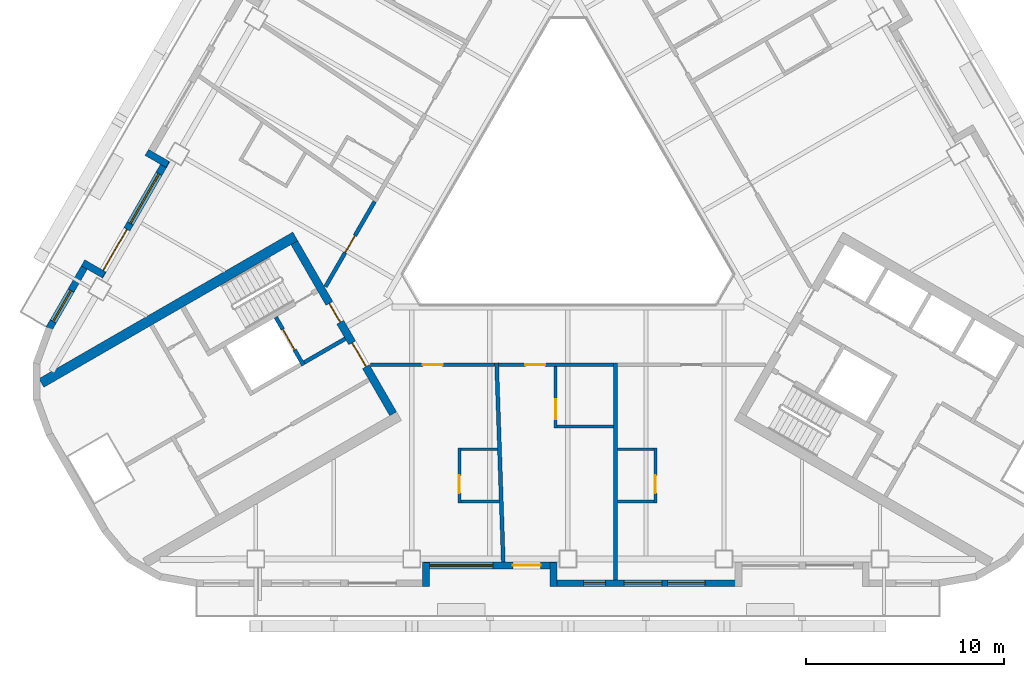
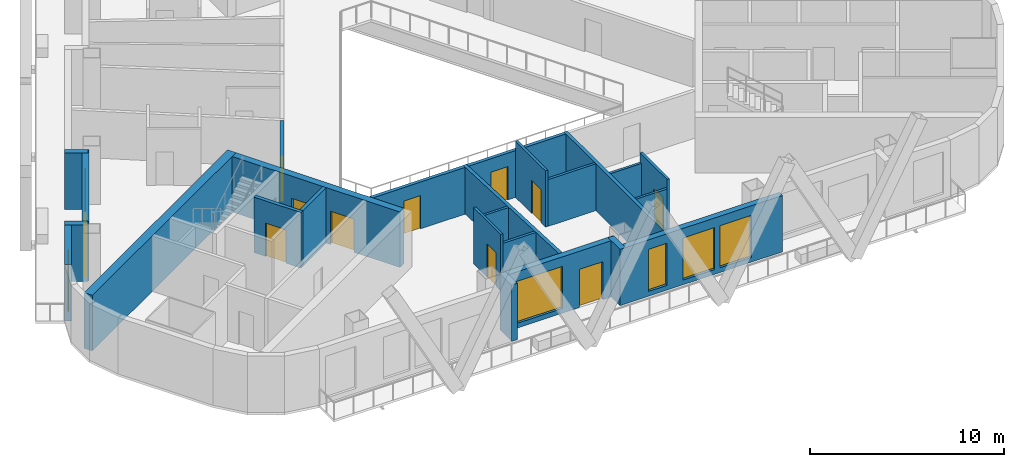
# One storey, part 3 of 14: 25 walls, 11 doors, 6 windows, 17 openings.
"""IFC4 building model written with IfcOpenShell, lengths in metres."""

from ifc_helpers import new_model, si_unit, direction, frame, frame_2d, origin, place, context, subcontext, project, spatial, rectangle, extrude, material, layer, layer_set, type_object, element, fill, save


model = new_model("IFC4")

# Units and contexts
model_context = context("Model", 3, precision=1e-05, world=origin(), true_north=direction((0.0, 1.0)))
body_context = subcontext(model_context, "Body", "Model", "MODEL_VIEW")
ifc_project = project(units=[si_unit("LENGTHUNIT", "METRE"), si_unit("AREAUNIT", "SQUARE_METRE"), si_unit("VOLUMEUNIT", "CUBIC_METRE"), si_unit("PLANEANGLEUNIT", "RADIAN"), si_unit("MASSUNIT", "GRAM", prefix="KILO")], contexts=[model_context])

# Site, building, storey
site_placement = place(None, origin())
site = spatial("IfcSite", under=ifc_project, at=site_placement, CompositionType="ELEMENT")
building_placement = place(site_placement, origin())
building = spatial("IfcBuilding", under=site, at=building_placement, Name="Apuvela Tower Hotel", CompositionType="ELEMENT")
storey_placement = place(building_placement, frame((0.0, 0.0, 98.300048828125)))
storey = spatial("IfcBuildingStorey", under=building, at=storey_placement, Name="L22", CompositionType="ELEMENT", Elevation=98.300048828125)

# Wall, openings, doors
ifc_material_1 = material(Name="Concrete C50/60", Category="concrete")
ifc_layer_1 = layer(ifc_material_1, 0.39990234375)
ifc_layer_set_1 = layer_set([ifc_layer_1], Name="COR-WALL-CORE-400")
wall_type_1 = type_object("IfcWallType", Name="COR-WALL-CORE-400", PredefinedType="SHEAR", material=ifc_layer_set_1)
wall_1_placement = place(storey_placement, frame((-13.844970703125, -2.219970703125, 0.0), z_axis=(0.0, 0.0, 1.0), x_axis=(0.500004234368, -0.866022959057, 0.0)))
wall_1 = element("IfcWall", 1, at=wall_1_placement, inside=storey, type_object=wall_type_1, Name="Core wall SW", PredefinedType="SHEAR", context=body_context, shape_type="SweptSolid", body=[
    extrude(rectangle(XDim=10.0, YDim=0.39990234375, at=frame_2d((5.0, 0.0))), origin(), (0.0, 0.0, 1.0), 3.5),
])
opening_1_placement = place(wall_1_placement, frame((3.550048828125, 0.0, 0.0)))
opening_1 = element("IfcOpeningElement", 2, at=opening_1_placement, cuts=wall_1, Name="Opening W-FD", PredefinedType="OPENING", context=body_context, shape_type="SweptSolid", body=[
    extrude(rectangle(XDim=1.10009765625, YDim=2.10009765625, at=frame_2d((0.550048828125, 1.050048828125))), frame((0.0, 0.2099609375, 0.0), z_axis=(0.0, -1.0, 0.0), x_axis=(1.0, 0.0, 0.0)), (0.0, 0.0, 1.0), 0.419921875),
])
opening_2_placement = place(wall_1_placement, frame((5.85009765625, 0.0, 0.0)))
opening_2 = element("IfcOpeningElement", 3, at=opening_2_placement, cuts=wall_1, Name="Opening W-GD", PredefinedType="OPENING", context=body_context, shape_type="SweptSolid", body=[
    extrude(rectangle(XDim=1.39990234375, YDim=2.10009765625, at=frame_2d((0.699951171875, 1.050048828125))), frame((0.0, 0.2099609375, 0.0), z_axis=(0.0, -1.0, 0.0), x_axis=(1.0, 0.0, 0.0)), (0.0, 0.0, 1.0), 0.419921875),
])
ifc_material_2 = material(Name="Steel fire door, powder coated", Category="steel")
door_type_1 = type_object("IfcDoorType", Name="COR-FD-1100", OperationType="NOTDEFINED", PredefinedType="DOOR", material=ifc_material_2)
door_1_placement = place(opening_1_placement, frame((1.10009765625, 0.0, 0.0), z_axis=(0.0, 0.0, 1.0), x_axis=(-1.0, 0.0, 0.0)))
door_1 = element("IfcDoor", 4, at=door_1_placement, inside=storey, type_object=door_type_1, Name="Firefighting lobby door W-FD", OperationType="SINGLE_SWING_LEFT", OverallHeight=2.10009765625, OverallWidth=1.10009765625, PredefinedType="DOOR", context=body_context, shape_type="SweptSolid", body=[
    extrude(rectangle(XDim=1.10009765625, YDim=2.10009765625, at=frame_2d((0.550048828125, 1.050048828125))), frame((0.0, 0.02490234375, 0.0), z_axis=(0.0, -1.0, 0.0), x_axis=(1.0, 0.0, 0.0)), (0.0, 0.0, 1.0), 0.050048828125),
])
fill(opening_1, door_1)
ifc_material_3 = material(Name="Glazed steel fire door", Category="steel")
door_type_2 = type_object("IfcDoorType", Name="COR-GD-1400", OperationType="DOUBLE_DOOR_SINGLE_SWING", PredefinedType="DOOR", material=ifc_material_3)
door_2_placement = place(opening_2_placement, frame((1.39990234375, 0.0, 0.0), z_axis=(0.0, 0.0, 1.0), x_axis=(-1.0, 0.0, 0.0)))
door_2 = element("IfcDoor", 5, at=door_2_placement, inside=storey, type_object=door_type_2, Name="Lift lobby door W-GD", OperationType="DOUBLE_DOOR_SINGLE_SWING", OverallHeight=2.10009765625, OverallWidth=1.39990234375, PredefinedType="DOOR", context=body_context, shape_type="SweptSolid", body=[
    extrude(rectangle(XDim=1.39990234375, YDim=2.10009765625, at=frame_2d((0.699951171875, 1.050048828125))), frame((0.0, 0.02490234375, 0.0), z_axis=(0.0, -1.0, 0.0), x_axis=(1.0, 0.0, 0.0)), (0.0, 0.0, 1.0), 0.050048828125),
])
fill(opening_2, door_2)

# Wall
ifc_layer_2 = layer(ifc_material_1, 0.5)
ifc_layer_set_2 = layer_set([ifc_layer_2], Name="COR-WALL-CORE-500")
wall_type_2 = type_object("IfcWallType", Name="COR-WALL-CORE-500", PredefinedType="SHEAR", material=ifc_layer_set_2)
wall_2_placement = place(storey_placement, frame((-13.796630859375, -1.9033203125, 0.0), z_axis=(0.0, 0.0, 1.0), x_axis=(-0.866025009528, -0.500000682871, 0.0)))
element("IfcWall", 6, at=wall_2_placement, inside=storey, type_object=wall_type_2, Name="Core wall SW", PredefinedType="SHEAR", context=body_context, shape_type="SweptSolid", body=[
    extrude(rectangle(XDim=14.8369140625, YDim=0.5, at=frame_2d((7.41845703125, 0.0))), origin(), (0.0, 0.0, 1.0), 3.5),
])

# Wall, opening, door
ifc_layer_3 = layer(ifc_material_1, 0.199951171875)
ifc_layer_set_3 = layer_set([ifc_layer_3], Name="COR-WALL-SHAFT-200")
wall_type_3 = type_object("IfcWallType", Name="COR-WALL-SHAFT-200", PredefinedType="SHEAR", material=ifc_layer_set_3)
wall_3_placement = place(storey_placement, frame((-14.783203125, -5.99462890625, 0.0), z_axis=(0.0, 0.0, 1.0), x_axis=(0.49994636267, -0.866056369097, 0.0)))
wall_3 = element("IfcWall", 7, at=wall_3_placement, inside=storey, type_object=wall_type_3, Name="Shaft wall SW", PredefinedType="SHEAR", context=body_context, shape_type="SweptSolid", body=[
    extrude(rectangle(XDim=2.800048828125, YDim=0.199951171875, at=frame_2d((1.39990234375, 0.0))), origin(), (0.0, 0.0, 1.0), 3.5),
])
opening_3_placement = place(wall_3_placement, frame((0.699951171875, 0.0, 0.0)))
opening_3 = element("IfcOpeningElement", 8, at=opening_3_placement, cuts=wall_3, Name="Opening W-LD-FS2", PredefinedType="OPENING", context=body_context, shape_type="SweptSolid", body=[
    extrude(rectangle(XDim=1.199951171875, YDim=2.10009765625, at=frame_2d((0.60009765625, 1.050048828125))), frame((0.0, 0.10986328125, 0.0), z_axis=(0.0, -1.0, 0.0), x_axis=(1.0, 0.0, 0.0)), (0.0, 0.0, 1.0), 0.219970703125),
])
ifc_material_4 = material(Name="Stainless steel lift landing door", Category="steel")
door_type_3 = type_object("IfcDoorType", Name="COR-LD-1200", OperationType="DOUBLE_DOOR_SLIDING", PredefinedType="DOOR", material=ifc_material_4)
door_3_placement = place(opening_3_placement, origin())
door_3 = element("IfcDoor", 9, at=door_3_placement, inside=storey, type_object=door_type_3, Name="Lift landing door W-LD-FS2", OperationType="DOUBLE_DOOR_SLIDING", OverallHeight=2.10009765625, OverallWidth=1.199951171875, PredefinedType="DOOR", context=body_context, shape_type="SweptSolid", body=[
    extrude(rectangle(XDim=1.199951171875, YDim=2.10009765625, at=frame_2d((0.60009765625, 1.050048828125))), frame((0.0, 0.02490234375, 0.0), z_axis=(0.0, -1.0, 0.0), x_axis=(1.0, 0.0, 0.0)), (0.0, 0.0, 1.0), 0.050048828125),
])
fill(opening_3, door_3)

# Walls
wall_4_placement = place(storey_placement, frame((-11.26806640625, -7.0830078125, 0.0), z_axis=(0.0, 0.0, 1.0), x_axis=(-0.866050077142, -0.499957262057, 0.0)))
element("IfcWall", 10, at=wall_4_placement, inside=storey, type_object=wall_type_3, Name="Shaft wall SW", PredefinedType="SHEAR", context=body_context, shape_type="SweptSolid", body=[
    extrude(rectangle(XDim=2.400146484375, YDim=0.199951171875, at=frame_2d((1.2001953125, 0.0))), origin(), (0.0, 0.0, 1.0), 3.5),
])
ifc_material_5 = material(Name="Concrete C40/50, dark pigmented precast panel", Category="concrete")
ifc_layer_4 = layer(ifc_material_5, 0.35009765625)
ifc_layer_set_4 = layer_set([ifc_layer_4], Name="ENV-WALL-350")
wall_type_4 = type_object("IfcWallType", Name="ENV-WALL-350", PredefinedType="SOLIDWALL", material=ifc_layer_set_4)
wall_5_placement = place(storey_placement, frame((-21.3125, 2.345703125, 0.0), z_axis=(0.0, 0.0, 1.0), x_axis=(0.866005645448, -0.500034220881, 0.0)))
element("IfcWall", 11, at=wall_5_placement, inside=storey, type_object=wall_type_4, Name="External wall L22-06", PredefinedType="SOLIDWALL", context=body_context, shape_type="SweptSolid", body=[
    extrude(rectangle(XDim=1.22021484375, YDim=0.35009765625, at=frame_2d((0.610107421875, 0.0))), origin(), (0.0, 0.0, 1.0), 3.550048828125),
])

# Wall, openings, door, window
wall_6_placement = place(storey_placement, frame((-20.30908203125, 1.93359375, 0.0), z_axis=(0.0, 0.0, 1.0), x_axis=(-0.499992114976, -0.866029956157, 0.0)))
wall_6 = element("IfcWall", 12, at=wall_6_placement, inside=storey, type_object=wall_type_4, Name="External wall L22-07", PredefinedType="SOLIDWALL", context=body_context, shape_type="SweptSolid", body=[
    extrude(rectangle(XDim=6.73974609375, YDim=0.35009765625, at=frame_2d((3.369873046875, 0.0))), origin(), (0.0, 0.0, 1.0), 3.550048828125),
])
opening_4_placement = place(wall_6_placement, frame((4.02001953125, 0.0, 0.0)))
opening_4 = element("IfcOpeningElement", 13, at=opening_4_placement, cuts=wall_6, Name="Opening BD24", PredefinedType="OPENING", context=body_context, shape_type="SweptSolid", body=[
    extrude(rectangle(XDim=2.39990234375, YDim=2.39990234375, at=frame_2d((1.199951171875, 1.199951171875))), frame((0.0, 0.18505859375, 0.0), z_axis=(0.0, -1.0, 0.0), x_axis=(1.0, 0.0, 0.0)), (0.0, 0.0, 1.0), 0.3701171875),
])
opening_5_placement = place(wall_6_placement, frame((0.77001953125, 0.0, 0.300048828125)))
opening_5 = element("IfcOpeningElement", 14, at=opening_5_placement, cuts=wall_6, Name="Opening WN29", PredefinedType="OPENING", context=body_context, shape_type="SweptSolid", body=[
    extrude(rectangle(XDim=2.89990234375, YDim=2.64990234375, at=frame_2d((1.449951171875, 1.324951171875))), frame((0.0, 0.18505859375, 0.0), z_axis=(0.0, -1.0, 0.0), x_axis=(1.0, 0.0, 0.0)), (0.0, 0.0, 1.0), 0.3701171875),
])
ifc_material_6 = material(Name="Aluminium 6063-T6, dark bronze anodised frame with dark tinted laminated glass", Category="aluminium")
door_type_4 = type_object("IfcDoorType", Name="ENV-DOOR-BALCONY-2400x2400", OperationType="SLIDING_TO_LEFT", PredefinedType="DOOR", material=ifc_material_6)
door_4_placement = place(opening_4_placement, frame((2.39990234375, 0.0, 0.0), z_axis=(0.0, 0.0, 1.0), x_axis=(-1.0, 0.0, 0.0)))
door_4 = element("IfcDoor", 15, at=door_4_placement, inside=storey, type_object=door_type_4, Name="Balcony door BD24", OperationType="SLIDING_TO_LEFT", OverallHeight=2.39990234375, OverallWidth=2.39990234375, PredefinedType="DOOR", context=body_context, shape_type="SweptSolid", body=[
    extrude(rectangle(XDim=2.39990234375, YDim=2.39990234375, at=frame_2d((1.199951171875, 1.199951171875))), frame((0.0, 0.02490234375, 0.0), z_axis=(0.0, -1.0, 0.0), x_axis=(1.0, 0.0, 0.0)), (0.0, 0.0, 1.0), 0.050048828125),
])
fill(opening_4, door_4)
ifc_material_7 = material(Name="Glass, dark tinted laminated insulated glazing unit", Category="glass")
window_type_1 = type_object("IfcWindowType", Name="ENV-WIN-2900x2650", PartitioningType="SINGLE_PANEL", PredefinedType="WINDOW", material=ifc_material_7)
window_1_placement = place(opening_5_placement, origin())
window_1 = element("IfcWindow", 16, at=window_1_placement, inside=storey, type_object=window_type_1, Name="Window WN29", OverallHeight=2.64990234375, OverallWidth=2.89990234375, PartitioningType="SINGLE_PANEL", PredefinedType="WINDOW", context=body_context, shape_type="SweptSolid", body=[
    extrude(rectangle(XDim=2.89990234375, YDim=2.64990234375, at=frame_2d((1.449951171875, 1.324951171875))), frame((0.0, 0.030029296875, 0.0), z_axis=(0.0, -1.0, 0.0), x_axis=(1.0, 0.0, 0.0)), (0.0, 0.0, 1.0), 0.06005859375),
])
fill(opening_5, window_1)

# Wall
wall_7_placement = place(storey_placement, frame((-23.48095703125, -3.85009765625, 0.0), z_axis=(0.0, 0.0, 1.0), x_axis=(-0.866092288191, 0.499884134912, 0.0)))
element("IfcWall", 17, at=wall_7_placement, inside=storey, type_object=wall_type_4, Name="External wall L22-08", PredefinedType="SOLIDWALL", context=body_context, shape_type="SweptSolid", body=[
    extrude(rectangle(XDim=1.219970703125, YDim=0.35009765625, at=frame_2d((0.60986328125, 0.0))), origin(), (0.0, 0.0, 1.0), 3.550048828125),
])

# Wall, opening, window
wall_8_placement = place(storey_placement, frame((-24.298583984375, -3.17626953125, 0.0), z_axis=(0.0, 0.0, 1.0), x_axis=(-0.500028278809, -0.866009076391, 0.0)))
wall_8 = element("IfcWall", 18, at=wall_8_placement, inside=storey, type_object=wall_type_4, Name="External wall L22-09", PredefinedType="SOLIDWALL", context=body_context, shape_type="SweptSolid", body=[
    extrude(rectangle(XDim=3.915771484375, YDim=0.35009765625, at=frame_2d((1.9580078125, 0.0))), origin(), (0.0, 0.0, 1.0), 3.550048828125),
])
opening_6_placement = place(wall_8_placement, frame((1.699951171875, 0.0, 0.300048828125)))
opening_6 = element("IfcOpeningElement", 19, at=opening_6_placement, cuts=wall_8, Name="Opening WN18", PredefinedType="OPENING", context=body_context, shape_type="SweptSolid", body=[
    extrude(rectangle(XDim=1.800048828125, YDim=2.64990234375, at=frame_2d((0.89990234375, 1.324951171875))), frame((0.0, 0.18505859375, 0.0), z_axis=(0.0, -1.0, 0.0), x_axis=(1.0, 0.0, 0.0)), (0.0, 0.0, 1.0), 0.3701171875),
])
window_type_2 = type_object("IfcWindowType", Name="ENV-WIN-1800x2650", PartitioningType="SINGLE_PANEL", PredefinedType="WINDOW", material=ifc_material_7)
window_2_placement = place(opening_6_placement, origin())
window_2 = element("IfcWindow", 20, at=window_2_placement, inside=storey, type_object=window_type_2, Name="Window WN18", OverallHeight=2.64990234375, OverallWidth=1.800048828125, PartitioningType="SINGLE_PANEL", PredefinedType="WINDOW", context=body_context, shape_type="SweptSolid", body=[
    extrude(rectangle(XDim=1.800048828125, YDim=2.64990234375, at=frame_2d((0.89990234375, 1.324951171875))), frame((0.0, 0.030029296875, 0.0), z_axis=(0.0, -1.0, 0.0), x_axis=(1.0, 0.0, 0.0)), (0.0, 0.0, 1.0), 0.06005859375),
])
fill(opening_6, window_2)

# Wall
wall_9_placement = place(storey_placement, frame((-7.175048828125, -19.6298828125, 0.0), z_axis=(0.0, 0.0, 1.0), x_axis=(0.0, 1.0, 0.0)))
element("IfcWall", 21, at=wall_9_placement, inside=storey, type_object=wall_type_4, Name="External wall L22-18", PredefinedType="SOLIDWALL", context=body_context, shape_type="SweptSolid", body=[
    extrude(rectangle(XDim=1.219970703125, YDim=0.35009765625, at=frame_2d((0.60986328125, 0.0))), origin(), (0.0, 0.0, 1.0), 3.550048828125),
])

# Wall, openings, door, window
wall_10_placement = place(storey_placement, frame((-7.320068359375, -18.554931640625, 0.0), z_axis=(0.0, 0.0, 1.0), x_axis=(1.0, 0.0, 0.0)))
wall_10 = element("IfcWall", 22, at=wall_10_placement, inside=storey, type_object=wall_type_4, Name="External wall L22-19", PredefinedType="SOLIDWALL", context=body_context, shape_type="SweptSolid", body=[
    extrude(rectangle(XDim=6.739990234375, YDim=0.35009765625, at=frame_2d((3.3701171875, 0.0))), origin(), (0.0, 0.0, 1.0), 3.550048828125),
])
opening_7_placement = place(wall_10_placement, frame((0.3203125, 0.0, 0.300048828125)))
opening_7 = element("IfcOpeningElement", 23, at=opening_7_placement, cuts=wall_10, Name="Opening WN32", PredefinedType="OPENING", context=body_context, shape_type="SweptSolid", body=[
    extrude(rectangle(XDim=3.199951171875, YDim=2.64990234375, at=frame_2d((1.60009765625, 1.324951171875))), frame((0.0, 0.18505859375, 0.0), z_axis=(0.0, -1.0, 0.0), x_axis=(1.0, 0.0, 0.0)), (0.0, 0.0, 1.0), 0.3701171875),
])
opening_8_placement = place(wall_10_placement, frame((4.534912109375, 0.0, 0.0)))
opening_8 = element("IfcOpeningElement", 24, at=opening_8_placement, cuts=wall_10, Name="Opening BD14", PredefinedType="OPENING", context=body_context, shape_type="SweptSolid", body=[
    extrude(rectangle(XDim=1.39990234375, YDim=2.39990234375, at=frame_2d((0.699951171875, 1.199951171875))), frame((0.0, 0.18505859375, 0.0), z_axis=(0.0, -1.0, 0.0), x_axis=(1.0, 0.0, 0.0)), (0.0, 0.0, 1.0), 0.3701171875),
])
door_type_5 = type_object("IfcDoorType", Name="ENV-DOOR-BALCONY-1400x2400", OperationType="SLIDING_TO_LEFT", PredefinedType="DOOR", material=ifc_material_6)
door_5_placement = place(opening_8_placement, frame((1.39990234375, 0.0, 0.0), z_axis=(0.0, 0.0, 1.0), x_axis=(-1.0, 0.0, 0.0)))
door_5 = element("IfcDoor", 25, at=door_5_placement, inside=storey, type_object=door_type_5, Name="Balcony door BD14", OperationType="SLIDING_TO_LEFT", OverallHeight=2.39990234375, OverallWidth=1.39990234375, PredefinedType="DOOR", context=body_context, shape_type="SweptSolid", body=[
    extrude(rectangle(XDim=1.39990234375, YDim=2.39990234375, at=frame_2d((0.699951171875, 1.199951171875))), frame((0.0, 0.02490234375, 0.0), z_axis=(0.0, -1.0, 0.0), x_axis=(1.0, 0.0, 0.0)), (0.0, 0.0, 1.0), 0.050048828125),
])
fill(opening_8, door_5)
window_type_3 = type_object("IfcWindowType", Name="ENV-WIN-3200x2650", PartitioningType="SINGLE_PANEL", PredefinedType="WINDOW", material=ifc_material_7)
window_3_placement = place(opening_7_placement, origin())
window_3 = element("IfcWindow", 26, at=window_3_placement, inside=storey, type_object=window_type_3, Name="Window WN32", OverallHeight=2.64990234375, OverallWidth=3.199951171875, PartitioningType="SINGLE_PANEL", PredefinedType="WINDOW", context=body_context, shape_type="SweptSolid", body=[
    extrude(rectangle(XDim=3.199951171875, YDim=2.64990234375, at=frame_2d((1.60009765625, 1.324951171875))), frame((0.0, 0.030029296875, 0.0), z_axis=(0.0, -1.0, 0.0), x_axis=(1.0, 0.0, 0.0)), (0.0, 0.0, 1.0), 0.06005859375),
])
fill(opening_7, window_3)

# Wall
wall_11_placement = place(storey_placement, frame((-0.72509765625, -18.409912109375, 0.0), z_axis=(0.0, 0.0, 1.0), x_axis=(0.0, -1.0, 0.0)))
element("IfcWall", 27, at=wall_11_placement, inside=storey, type_object=wall_type_4, Name="External wall L22-20", PredefinedType="SOLIDWALL", context=body_context, shape_type="SweptSolid", body=[
    extrude(rectangle(XDim=1.219970703125, YDim=0.35009765625, at=frame_2d((0.60986328125, 0.0))), origin(), (0.0, 0.0, 1.0), 3.550048828125),
])

# Wall, openings, windows
wall_12_placement = place(storey_placement, frame((-0.89990234375, -19.455078125, 0.0), z_axis=(0.0, 0.0, 1.0), x_axis=(1.0, 0.0, 0.0)))
wall_12 = element("IfcWall", 28, at=wall_12_placement, inside=storey, type_object=wall_type_4, Name="External wall L22-21", PredefinedType="SOLIDWALL", context=body_context, shape_type="SweptSolid", body=[
    extrude(rectangle(XDim=9.699951171875, YDim=0.35009765625, at=frame_2d((4.85009765625, 0.0))), origin(), (0.0, 0.0, 1.0), 3.550048828125),
])
opening_9_placement = place(wall_12_placement, frame((1.7001953125, 0.0, 0.300048828125)))
opening_9 = element("IfcOpeningElement", 29, at=opening_9_placement, cuts=wall_12, Name="Opening WN11", PredefinedType="OPENING", context=body_context, shape_type="SweptSolid", body=[
    extrude(rectangle(XDim=1.10009765625, YDim=2.64990234375, at=frame_2d((0.550048828125, 1.324951171875))), frame((0.0, 0.18505859375, 0.0), z_axis=(0.0, -1.0, 0.0), x_axis=(1.0, 0.0, 0.0)), (0.0, 0.0, 1.0), 0.3701171875),
])
opening_10_placement = place(wall_12_placement, frame((3.75, 0.0, 0.300048828125)))
opening_10 = element("IfcOpeningElement", 30, at=opening_10_placement, cuts=wall_12, Name="Opening WN19", PredefinedType="OPENING", context=body_context, shape_type="SweptSolid", body=[
    extrude(rectangle(XDim=1.89990234375, YDim=2.64990234375, at=frame_2d((0.949951171875, 1.324951171875))), frame((0.0, 0.18505859375, 0.0), z_axis=(0.0, -1.0, 0.0), x_axis=(1.0, 0.0, 0.0)), (0.0, 0.0, 1.0), 0.3701171875),
])
opening_11_placement = place(wall_12_placement, frame((5.949951171875, 0.0, 0.300048828125)))
opening_11 = element("IfcOpeningElement", 31, at=opening_11_placement, cuts=wall_12, Name="Opening WN19", PredefinedType="OPENING", context=body_context, shape_type="SweptSolid", body=[
    extrude(rectangle(XDim=1.89990234375, YDim=2.64990234375, at=frame_2d((0.949951171875, 1.324951171875))), frame((0.0, 0.18505859375, 0.0), z_axis=(0.0, -1.0, 0.0), x_axis=(1.0, 0.0, 0.0)), (0.0, 0.0, 1.0), 0.3701171875),
])
window_type_4 = type_object("IfcWindowType", Name="ENV-WIN-1100x2650", PartitioningType="SINGLE_PANEL", PredefinedType="WINDOW", material=ifc_material_7)
window_4_placement = place(opening_9_placement, origin())
window_4 = element("IfcWindow", 32, at=window_4_placement, inside=storey, type_object=window_type_4, Name="Window WN11", OverallHeight=2.64990234375, OverallWidth=1.10009765625, PartitioningType="SINGLE_PANEL", PredefinedType="WINDOW", context=body_context, shape_type="SweptSolid", body=[
    extrude(rectangle(XDim=1.10009765625, YDim=2.64990234375, at=frame_2d((0.550048828125, 1.324951171875))), frame((0.0, 0.030029296875, 0.0), z_axis=(0.0, -1.0, 0.0), x_axis=(1.0, 0.0, 0.0)), (0.0, 0.0, 1.0), 0.06005859375),
])
fill(opening_9, window_4)
window_type_5 = type_object("IfcWindowType", Name="ENV-WIN-1900x2650", PartitioningType="SINGLE_PANEL", PredefinedType="WINDOW", material=ifc_material_7)
window_5_placement = place(opening_10_placement, origin())
window_5 = element("IfcWindow", 33, at=window_5_placement, inside=storey, type_object=window_type_5, Name="Window WN19", OverallHeight=2.64990234375, OverallWidth=1.89990234375, PartitioningType="SINGLE_PANEL", PredefinedType="WINDOW", context=body_context, shape_type="SweptSolid", body=[
    extrude(rectangle(XDim=1.89990234375, YDim=2.64990234375, at=frame_2d((0.949951171875, 1.324951171875))), frame((0.0, 0.030029296875, 0.0), z_axis=(0.0, -1.0, 0.0), x_axis=(1.0, 0.0, 0.0)), (0.0, 0.0, 1.0), 0.06005859375),
])
fill(opening_10, window_5)
window_6_placement = place(opening_11_placement, origin())
window_6 = element("IfcWindow", 34, at=window_6_placement, inside=storey, type_object=window_type_5, Name="Window WN19", OverallHeight=2.64990234375, OverallWidth=1.89990234375, PartitioningType="SINGLE_PANEL", PredefinedType="WINDOW", context=body_context, shape_type="SweptSolid", body=[
    extrude(rectangle(XDim=1.89990234375, YDim=2.64990234375, at=frame_2d((0.949951171875, 1.324951171875))), frame((0.0, 0.030029296875, 0.0), z_axis=(0.0, -1.0, 0.0), x_axis=(1.0, 0.0, 0.0)), (0.0, 0.0, 1.0), 0.06005859375),
])
fill(opening_11, window_6)

# Walls
ifc_material_8 = material(Name="Gypsum board partition on twin steel stud", Category="steel")
ifc_layer_5 = layer(ifc_material_8, 0.199951171875)
ifc_layer_set_5 = layer_set([ifc_layer_5], Name="GST-PW1")
wall_type_5 = type_object("IfcWallType", Name="GST-PW1", PredefinedType="PARTITIONING", material=ifc_layer_set_5)
wall_13_placement = place(storey_placement, frame((-3.27001953125, -18.3798828125, 0.0), z_axis=(0.0, 0.0, 1.0), x_axis=(-0.03338172908, 0.999442674776, 0.0)))
element("IfcWall", 35, at=wall_13_placement, inside=storey, type_object=wall_type_5, Name="L22 partition 01", PredefinedType="PARTITIONING", context=body_context, shape_type="SweptSolid", body=[
    extrude(rectangle(XDim=10.08544921875, YDim=0.199951171875, at=frame_2d((5.042724609375, 0.0))), origin(), (0.0, 0.0, 1.0), 2.9599609375),
])
wall_14_placement = place(storey_placement, frame((2.39990234375, -19.280029296875, 0.0), z_axis=(0.0, 0.0, 1.0), x_axis=(0.0, 1.0, 0.0)))
element("IfcWall", 36, at=wall_14_placement, inside=storey, type_object=wall_type_5, Name="L22 partition 02", PredefinedType="PARTITIONING", context=body_context, shape_type="SweptSolid", body=[
    extrude(rectangle(XDim=10.97998046875, YDim=0.199951171875, at=frame_2d((5.489990234375, 0.0))), origin(), (0.0, 0.0, 1.0), 2.9599609375),
])

# Wall, opening, door
ifc_material_9 = material(Name="Gypsum board corridor wall on twin steel stud, acoustic", Category="steel")
ifc_layer_6 = layer(ifc_material_9, 0.199951171875)
ifc_layer_set_6 = layer_set([ifc_layer_6], Name="GST-PW2")
wall_type_6 = type_object("IfcWallType", Name="GST-PW2", PredefinedType="PARTITIONING", material=ifc_layer_set_6)
wall_15_placement = place(storey_placement, frame((-3.703369140625, -8.39990234375, 0.0), z_axis=(0.0, 0.0, 1.0), x_axis=(-1.0, 0.0, 0.0)))
wall_15 = element("IfcWall", 37, at=wall_15_placement, inside=storey, type_object=wall_type_6, Name="L22 partition 08", PredefinedType="PARTITIONING", context=body_context, shape_type="SweptSolid", body=[
    extrude(rectangle(XDim=6.284912109375, YDim=0.199951171875, at=frame_2d((3.142578125, 0.0))), origin(), (0.0, 0.0, 1.0), 2.949951171875),
])
opening_12_placement = place(wall_15_placement, frame((2.642333984375, 0.0, 0.0)))
opening_12 = element("IfcOpeningElement", 38, at=opening_12_placement, cuts=wall_15, Name="Opening GD07-02", PredefinedType="OPENING", context=body_context, shape_type="SweptSolid", body=[
    extrude(rectangle(XDim=1.0, YDim=2.10009765625, at=frame_2d((0.5, 1.050048828125))), frame((0.0, 0.10986328125, 0.0), z_axis=(0.0, -1.0, 0.0), x_axis=(1.0, 0.0, 0.0)), (0.0, 0.0, 1.0), 0.219970703125),
])
ifc_material_10 = material(Name="Timber door leaf in steel frame", Category="steel")
door_type_6 = type_object("IfcDoorType", Name="GST-D1", OperationType="NOTDEFINED", PredefinedType="DOOR", material=ifc_material_10)
door_6_placement = place(opening_12_placement, origin())
door_6 = element("IfcDoor", 39, at=door_6_placement, inside=storey, type_object=door_type_6, Name="Door L22-02", OperationType="SINGLE_SWING_LEFT", OverallHeight=2.10009765625, OverallWidth=1.0, PredefinedType="DOOR", context=body_context, shape_type="SweptSolid", body=[
    extrude(rectangle(XDim=1.0, YDim=2.10009765625, at=frame_2d((0.5, 1.050048828125))), frame((0.0, 0.02490234375, 0.0), z_axis=(0.0, -1.0, 0.0), x_axis=(1.0, 0.0, 0.0)), (0.0, 0.0, 1.0), 0.050048828125),
])
fill(opening_12, door_6)

wall_16_placement = place(storey_placement, frame((2.300048828125, -8.39990234375, 0.0), z_axis=(0.0, 0.0, 1.0), x_axis=(-1.0, 0.0, 0.0)))
wall_16 = element("IfcWall", 40, at=wall_16_placement, inside=storey, type_object=wall_type_6, Name="L22 partition 12", PredefinedType="PARTITIONING", context=body_context, shape_type="SweptSolid", body=[
    extrude(rectangle(XDim=5.803466796875, YDim=0.199951171875, at=frame_2d((2.90185546875, 0.0))), origin(), (0.0, 0.0, 1.0), 2.949951171875),
])
opening_13_placement = place(wall_16_placement, frame((3.449951171875, 0.0, 0.0)))
opening_13 = element("IfcOpeningElement", 41, at=opening_13_placement, cuts=wall_16, Name="Opening GD07-04", PredefinedType="OPENING", context=body_context, shape_type="SweptSolid", body=[
    extrude(rectangle(XDim=1.0, YDim=2.10009765625, at=frame_2d((0.5, 1.050048828125))), frame((0.0, 0.10986328125, 0.0), z_axis=(0.0, -1.0, 0.0), x_axis=(1.0, 0.0, 0.0)), (0.0, 0.0, 1.0), 0.219970703125),
])
door_7_placement = place(opening_13_placement, origin())
door_7 = element("IfcDoor", 42, at=door_7_placement, inside=storey, type_object=door_type_6, Name="Door L22-04", OperationType="SINGLE_SWING_RIGHT", OverallHeight=2.10009765625, OverallWidth=1.0, PredefinedType="DOOR", context=body_context, shape_type="SweptSolid", body=[
    extrude(rectangle(XDim=1.0, YDim=2.10009765625, at=frame_2d((0.5, 1.050048828125))), frame((0.0, 0.02490234375, 0.0), z_axis=(0.0, -1.0, 0.0), x_axis=(1.0, 0.0, 0.0)), (0.0, 0.0, 1.0), 0.050048828125),
])
fill(opening_13, door_7)

wall_17_placement = place(storey_placement, frame((-12.268798828125, -4.449951171875, 0.0), z_axis=(0.0, 0.0, 1.0), x_axis=(0.500015331954, 0.866016551696, 0.0)))
wall_17 = element("IfcWall", 43, at=wall_17_placement, inside=storey, type_object=wall_type_6, Name="L22 partition 40", PredefinedType="PARTITIONING", context=body_context, shape_type="SweptSolid", body=[
    extrude(rectangle(XDim=4.978759765625, YDim=0.199951171875, at=frame_2d((2.4892578125, 0.0))), origin(), (0.0, 0.0, 1.0), 2.949951171875),
])
opening_14_placement = place(wall_17_placement, frame((1.989501953125, 0.0, 0.0)))
opening_14 = element("IfcOpeningElement", 44, at=opening_14_placement, cuts=wall_17, Name="Opening GD07-20", PredefinedType="OPENING", context=body_context, shape_type="SweptSolid", body=[
    extrude(rectangle(XDim=1.0, YDim=2.10009765625, at=frame_2d((0.5, 1.050048828125))), frame((0.0, 0.10986328125, 0.0), z_axis=(0.0, -1.0, 0.0), x_axis=(1.0, 0.0, 0.0)), (0.0, 0.0, 1.0), 0.219970703125),
])
door_8_placement = place(opening_14_placement, origin())
door_8 = element("IfcDoor", 45, at=door_8_placement, inside=storey, type_object=door_type_6, Name="Door L22-20", OperationType="SINGLE_SWING_RIGHT", OverallHeight=2.10009765625, OverallWidth=1.0, PredefinedType="DOOR", context=body_context, shape_type="SweptSolid", body=[
    extrude(rectangle(XDim=1.0, YDim=2.10009765625, at=frame_2d((0.5, 1.050048828125))), frame((0.0, 0.02490234375, 0.0), z_axis=(0.0, -1.0, 0.0), x_axis=(1.0, 0.0, 0.0)), (0.0, 0.0, 1.0), 0.050048828125),
])
fill(opening_14, door_8)

ifc_material_11 = material(Name="Moisture-resistant gypsum board wet wall on steel stud", Category="steel")
ifc_layer_7 = layer(ifc_material_11, 0.14990234375)
ifc_layer_set_7 = layer_set([ifc_layer_7], Name="GST-PW3")
wall_type_7 = type_object("IfcWallType", Name="GST-PW3", PredefinedType="PARTITIONING", material=ifc_layer_set_7)
wall_18_placement = place(storey_placement, frame((-5.488037109375, -12.60009765625, 0.0), z_axis=(0.0, 0.0, 1.0), x_axis=(0.0, -1.0, 0.0)))
wall_18 = element("IfcWall", 46, at=wall_18_placement, inside=storey, type_object=wall_type_7, Name="L22 partition 09", PredefinedType="PARTITIONING", context=body_context, shape_type="SweptSolid", body=[
    extrude(rectangle(XDim=2.7998046875, YDim=0.14990234375, at=frame_2d((1.39990234375, 0.0))), origin(), (0.0, 0.0, 1.0), 3.550048828125),
])
opening_15_placement = place(wall_18_placement, frame((1.39990234375, 0.0, 0.0)))
opening_15 = element("IfcOpeningElement", 47, at=opening_15_placement, cuts=wall_18, Name="Opening GD07-01", PredefinedType="OPENING", context=body_context, shape_type="SweptSolid", body=[
    extrude(rectangle(XDim=0.89990234375, YDim=2.10009765625, at=frame_2d((0.449951171875, 1.050048828125))), frame((0.0, 0.0849609375, 0.0), z_axis=(0.0, -1.0, 0.0), x_axis=(1.0, 0.0, 0.0)), (0.0, 0.0, 1.0), 0.169921875),
])
door_type_7 = type_object("IfcDoorType", Name="GST-D2", OperationType="NOTDEFINED", PredefinedType="DOOR", material=ifc_material_10)
door_9_placement = place(opening_15_placement, origin())
door_9 = element("IfcDoor", 48, at=door_9_placement, inside=storey, type_object=door_type_7, Name="Door L22-01", OperationType="SINGLE_SWING_RIGHT", OverallHeight=2.10009765625, OverallWidth=0.89990234375, PredefinedType="DOOR", context=body_context, shape_type="SweptSolid", body=[
    extrude(rectangle(XDim=0.89990234375, YDim=2.10009765625, at=frame_2d((0.449951171875, 1.050048828125))), frame((0.0, 0.02490234375, 0.0), z_axis=(0.0, -1.0, 0.0), x_axis=(1.0, 0.0, 0.0)), (0.0, 0.0, 1.0), 0.050048828125),
])
fill(opening_15, door_9)

# Walls
wall_19_placement = place(storey_placement, frame((-5.4130859375, -15.324951171875, 0.0), z_axis=(0.0, 0.0, 1.0), x_axis=(1.0, 0.0, 0.0)))
element("IfcWall", 49, at=wall_19_placement, inside=storey, type_object=wall_type_7, Name="L22 partition 10", PredefinedType="PARTITIONING", context=body_context, shape_type="SweptSolid", body=[
    extrude(rectangle(XDim=1.94091796875, YDim=0.14990234375, at=frame_2d((0.970458984375, 0.0))), origin(), (0.0, 0.0, 1.0), 2.949951171875),
])
wall_20_placement = place(storey_placement, frame((-5.4130859375, -12.675048828125, 0.0), z_axis=(0.0, 0.0, 1.0), x_axis=(1.0, 0.0, 0.0)))
element("IfcWall", 50, at=wall_20_placement, inside=storey, type_object=wall_type_7, Name="L22 partition 11", PredefinedType="PARTITIONING", context=body_context, shape_type="SweptSolid", body=[
    extrude(rectangle(XDim=1.8525390625, YDim=0.14990234375, at=frame_2d((0.92626953125, 0.0))), origin(), (0.0, 0.0, 1.0), 2.949951171875),
])

# Wall, opening, door
wall_21_placement = place(storey_placement, frame((-0.625, -8.5, 0.0), z_axis=(0.0, 0.0, 1.0), x_axis=(0.0, -1.0, 0.0)))
wall_21 = element("IfcWall", 51, at=wall_21_placement, inside=storey, type_object=wall_type_7, Name="L22 partition 13", PredefinedType="PARTITIONING", context=body_context, shape_type="SweptSolid", body=[
    extrude(rectangle(XDim=3.10009765625, YDim=0.14990234375, at=frame_2d((1.550048828125, 0.0))), origin(), (0.0, 0.0, 1.0), 3.550048828125),
])
opening_16_placement = place(wall_21_placement, frame((1.64990234375, 0.0, 0.0)))
opening_16 = element("IfcOpeningElement", 52, at=opening_16_placement, cuts=wall_21, Name="Opening GD07-03", PredefinedType="OPENING", context=body_context, shape_type="SweptSolid", body=[
    extrude(rectangle(XDim=1.0, YDim=2.10009765625, at=frame_2d((0.5, 1.050048828125))), frame((0.0, 0.0849609375, 0.0), z_axis=(0.0, -1.0, 0.0), x_axis=(1.0, 0.0, 0.0)), (0.0, 0.0, 1.0), 0.169921875),
])
door_10_placement = place(opening_16_placement, origin())
door_10 = element("IfcDoor", 53, at=door_10_placement, inside=storey, type_object=door_type_6, Name="Door L22-03", OperationType="SINGLE_SWING_RIGHT", OverallHeight=2.10009765625, OverallWidth=1.0, PredefinedType="DOOR", context=body_context, shape_type="SweptSolid", body=[
    extrude(rectangle(XDim=1.0, YDim=2.10009765625, at=frame_2d((0.5, 1.050048828125))), frame((0.0, 0.02490234375, 0.0), z_axis=(0.0, -1.0, 0.0), x_axis=(1.0, 0.0, 0.0)), (0.0, 0.0, 1.0), 0.050048828125),
])
fill(opening_16, door_10)

# Wall
wall_22_placement = place(storey_placement, frame((-0.550048828125, -11.52490234375, 0.0), z_axis=(0.0, 0.0, 1.0), x_axis=(1.0, 0.0, 0.0)))
element("IfcWall", 54, at=wall_22_placement, inside=storey, type_object=wall_type_7, Name="L22 partition 14", PredefinedType="PARTITIONING", context=body_context, shape_type="SweptSolid", body=[
    extrude(rectangle(XDim=2.85009765625, YDim=0.14990234375, at=frame_2d((1.425048828125, 0.0))), origin(), (0.0, 0.0, 1.0), 2.949951171875),
])

# Wall, opening, door
wall_23_placement = place(storey_placement, frame((4.425048828125, -15.39990234375, 0.0), z_axis=(0.0, 0.0, 1.0), x_axis=(0.0, 1.0, 0.0)))
wall_23 = element("IfcWall", 55, at=wall_23_placement, inside=storey, type_object=wall_type_7, Name="L22 partition 16", PredefinedType="PARTITIONING", context=body_context, shape_type="SweptSolid", body=[
    extrude(rectangle(XDim=2.7998046875, YDim=0.14990234375, at=frame_2d((1.39990234375, 0.0))), origin(), (0.0, 0.0, 1.0), 3.550048828125),
])
opening_17_placement = place(wall_23_placement, frame((0.5, 0.0, 0.0)))
opening_17 = element("IfcOpeningElement", 56, at=opening_17_placement, cuts=wall_23, Name="Opening GD07-05", PredefinedType="OPENING", context=body_context, shape_type="SweptSolid", body=[
    extrude(rectangle(XDim=0.89990234375, YDim=2.10009765625, at=frame_2d((0.449951171875, 1.050048828125))), frame((0.0, 0.0849609375, 0.0), z_axis=(0.0, -1.0, 0.0), x_axis=(1.0, 0.0, 0.0)), (0.0, 0.0, 1.0), 0.169921875),
])
door_11_placement = place(opening_17_placement, origin())
door_11 = element("IfcDoor", 57, at=door_11_placement, inside=storey, type_object=door_type_7, Name="Door L22-05", OperationType="SINGLE_SWING_LEFT", OverallHeight=2.10009765625, OverallWidth=0.89990234375, PredefinedType="DOOR", context=body_context, shape_type="SweptSolid", body=[
    extrude(rectangle(XDim=0.89990234375, YDim=2.10009765625, at=frame_2d((0.449951171875, 1.050048828125))), frame((0.0, 0.02490234375, 0.0), z_axis=(0.0, -1.0, 0.0), x_axis=(1.0, 0.0, 0.0)), (0.0, 0.0, 1.0), 0.050048828125),
])
fill(opening_17, door_11)

# Walls
for number, where, z_axis, x_axis, name in (
    (58, (2.5, -15.324951171875, 0.0), (0.0, 0.0, 1.0), (1.0, 0.0, 0.0), "L22 partition 17"),
    (59, (2.5, -12.675048828125, 0.0), (0.0, 0.0, 1.0), (1.0, 0.0, 0.0), "L22 partition 18"),
):
    element("IfcWall", number, at=place(storey_placement, frame(where, z_axis=z_axis, x_axis=x_axis)), inside=storey, type_object=wall_type_7, Name=name, PredefinedType="PARTITIONING", context=body_context, shape_type="SweptSolid", body=[
        extrude(rectangle(XDim=1.85009765625, YDim=0.14990234375, at=frame_2d((0.925048828125, 0.0))), origin(), (0.0, 0.0, 1.0), 2.949951171875),
    ])

save(model, "model.ifc")
